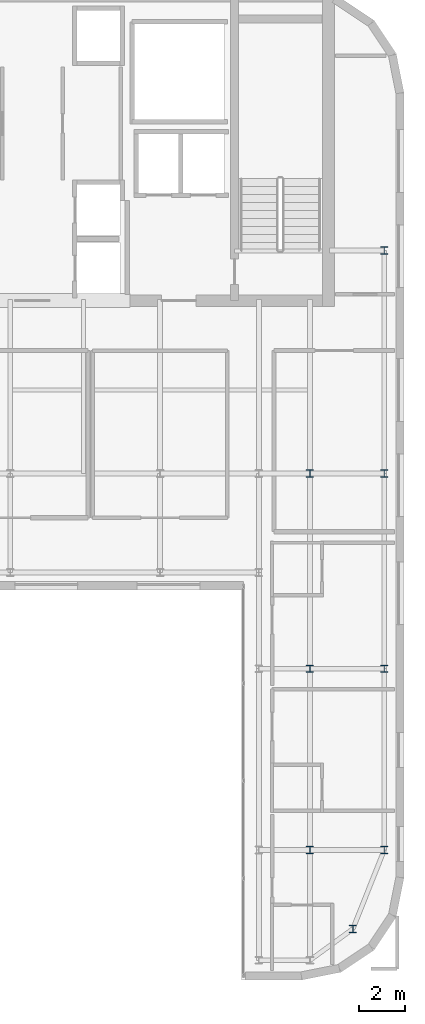
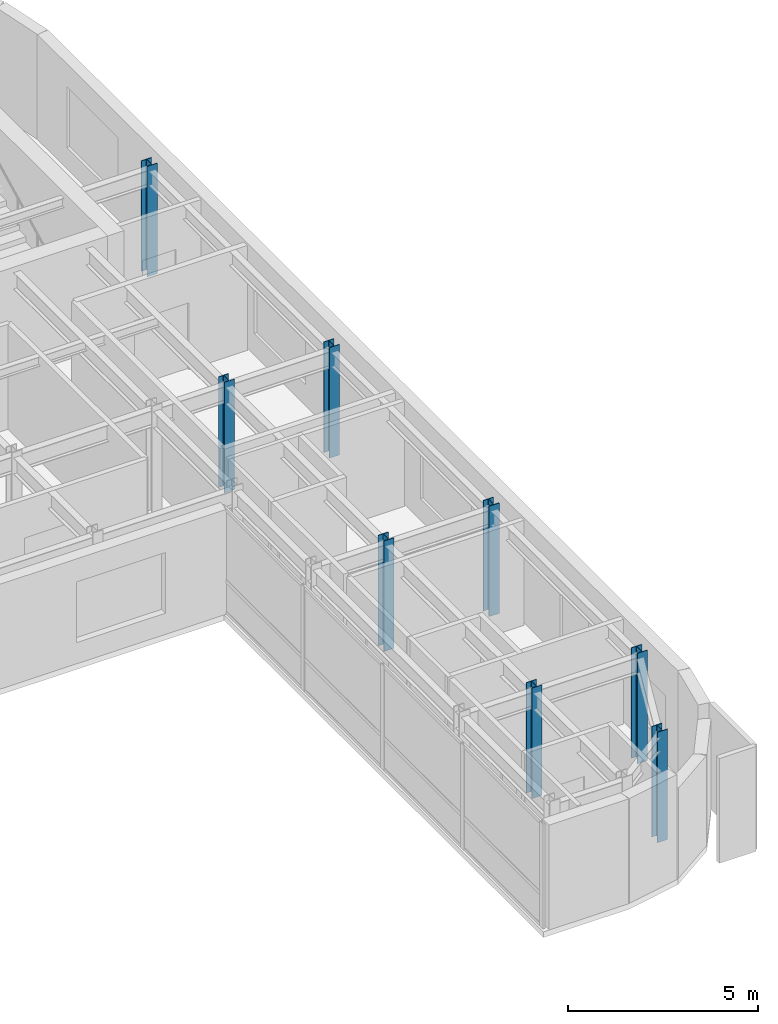
# One storey, part 2 of 18: 8 columns.
"""IFC4 building model written with IfcOpenShell, lengths in metres."""

from ifc_helpers import new_model, si_unit, direction, frame, origin, origin_2d, place, context, subcontext, project, spatial, i_section, extrude, source, transform, mapped, material, material_profile, profile_set, type_object, type_shapes, element, save


model = new_model("IFC4")

# Units and contexts
model_context = context("Model", 3, precision=1e-05, world=origin(), true_north=direction((0.0, 1.0)))
body_context = subcontext(model_context, "Body", "Model", "MODEL_VIEW")
ifc_project = project(units=[si_unit("LENGTHUNIT", "METRE"), si_unit("AREAUNIT", "SQUARE_METRE"), si_unit("VOLUMEUNIT", "CUBIC_METRE"), si_unit("PLANEANGLEUNIT", "RADIAN"), si_unit("MASSUNIT", "GRAM", prefix="KILO")], contexts=[model_context])

# Site, building, storey
site_placement = place(None, origin())
site = spatial("IfcSite", under=ifc_project, at=site_placement, CompositionType="ELEMENT")
building_placement = place(site_placement, origin())
building = spatial("IfcBuilding", under=site, at=building_placement, Name="Tolvann Quenvar Hotel", CompositionType="ELEMENT")
storey_placement = place(building_placement, frame((0.0, 0.0, 259.39990234375)))
storey = spatial("IfcBuildingStorey", under=building, at=storey_placement, Name="L69", CompositionType="ELEMENT", Elevation=259.39990234375)

# Columns
ifc_material = material(Name="Steel Grade 350", Category="steel")
ifc_material_profile_1 = material_profile(ifc_material, i_section(OverallWidth=0.30908203125, OverallDepth=0.321044921875, WebThickness=0.013916015625, FlangeThickness=0.021728515625, FilletRadius=0.0166015625, at=origin_2d()), Name="310UC137")
ifc_profile_set_1 = profile_set([ifc_material_profile_1], Name="Steel Grade 350")
column_type_1 = type_object("IfcColumnType", Name="COL_310UC137", PredefinedType="COLUMN", material=ifc_profile_set_1)
shared_shape_1 = source(origin(), body_context, "Body", "SweptSolid", [
    extrude(i_section(OverallWidth=0.30908203125, OverallDepth=0.321044921875, WebThickness=0.013916015625, FlangeThickness=0.021728515625, FilletRadius=0.0166015625, at=origin_2d()), origin(), (0.0, 0.0, 1.0), 3.550048828125),
])
type_shapes(column_type_1, [shared_shape_1])
for number, where, z_axis, x_axis, name in (
    (1, (36.800048828125, 4.800048828125, 0.0), (0.0, 0.0, 1.0), (1.0, 0.0, 0.0), "Column G2 (L69)"),
    (2, (38.14990234375, 8.199951171875, 0.0), (0.0, 0.0, 1.0), (1.0, 0.0, 0.0), "Column G3 (L69)"),
    (3, (38.14990234375, 16.0, 0.0), (0.0, 0.0, 1.0), (1.0, 0.0, 0.0), "Column G4 (L69)"),
    (4, (38.14990234375, 24.39990234375, 0.0), (0.0, 0.0, 1.0), (1.0, 0.0, 0.0), "Column G5 (L69)"),
    (5, (38.14990234375, 34.0, 0.0), (0.0, 0.0, 1.0), (1.0, 0.0, 0.0), "Column GD6 (L69)"),
):
    element("IfcColumn", number, at=place(storey_placement, frame(where, z_axis=z_axis, x_axis=x_axis)), inside=storey, type_object=column_type_1, Name=name, PredefinedType="COLUMN", context=body_context, shape_type="MappedRepresentation", body=[
        mapped(shared_shape_1, transform((0.0, 0.0, 0.0), x_axis=(1.0, 0.0, 0.0), y_axis=(0.0, 1.0, 0.0), z_axis=(0.0, 0.0, 1.0), scale=1.0)),
    ])
ifc_material_profile_2 = material_profile(ifc_material, i_section(OverallWidth=0.306884765625, OverallDepth=0.31494140625, WebThickness=0.011962890625, FlangeThickness=0.018798828125, FilletRadius=0.0166015625, at=origin_2d()), Name="310UC118")
ifc_profile_set_2 = profile_set([ifc_material_profile_2], Name="Steel Grade 350")
column_type_2 = type_object("IfcColumnType", Name="COL_310UC118", PredefinedType="COLUMN", material=ifc_profile_set_2)
shared_shape_2 = source(origin(), body_context, "Body", "SweptSolid", [
    extrude(i_section(OverallWidth=0.306884765625, OverallDepth=0.31494140625, WebThickness=0.011962890625, FlangeThickness=0.018798828125, FilletRadius=0.0166015625, at=origin_2d()), origin(), (0.0, 0.0, 1.0), 3.550048828125),
])
type_shapes(column_type_2, [shared_shape_2])
for number, where, z_axis, x_axis, name in (
    (6, (34.949951171875, 8.199951171875, 0.0), (0.0, 0.0, 1.0), (1.0, 0.0, 0.0), "Column F3 (L69)"),
    (7, (34.949951171875, 16.0, 0.0), (0.0, 0.0, 1.0), (1.0, 0.0, 0.0), "Column F4 (L69)"),
    (8, (34.949951171875, 24.39990234375, 0.0), (0.0, 0.0, 1.0), (1.0, 0.0, 0.0), "Column F5 (L69)"),
):
    element("IfcColumn", number, at=place(storey_placement, frame(where, z_axis=z_axis, x_axis=x_axis)), inside=storey, type_object=column_type_2, Name=name, PredefinedType="COLUMN", context=body_context, shape_type="MappedRepresentation", body=[
        mapped(shared_shape_2, transform((0.0, 0.0, 0.0), x_axis=(1.0, 0.0, 0.0), y_axis=(0.0, 1.0, 0.0), z_axis=(0.0, 0.0, 1.0), scale=1.0)),
    ])

save(model, "model.ifc")
